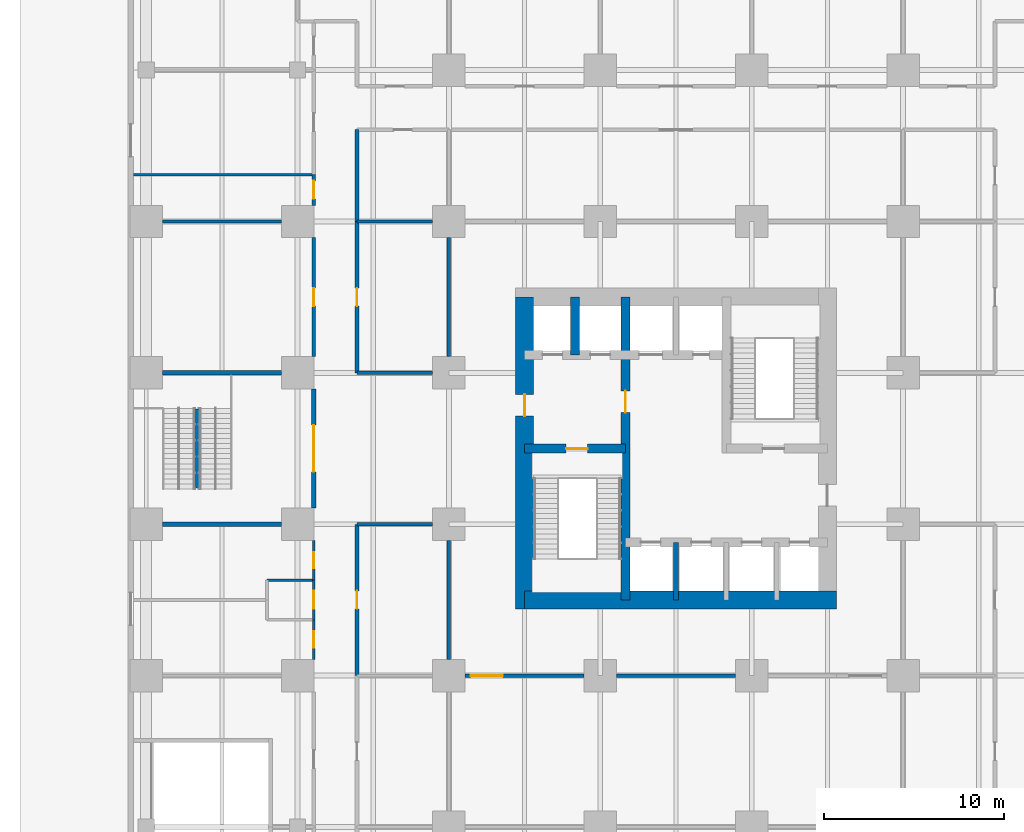
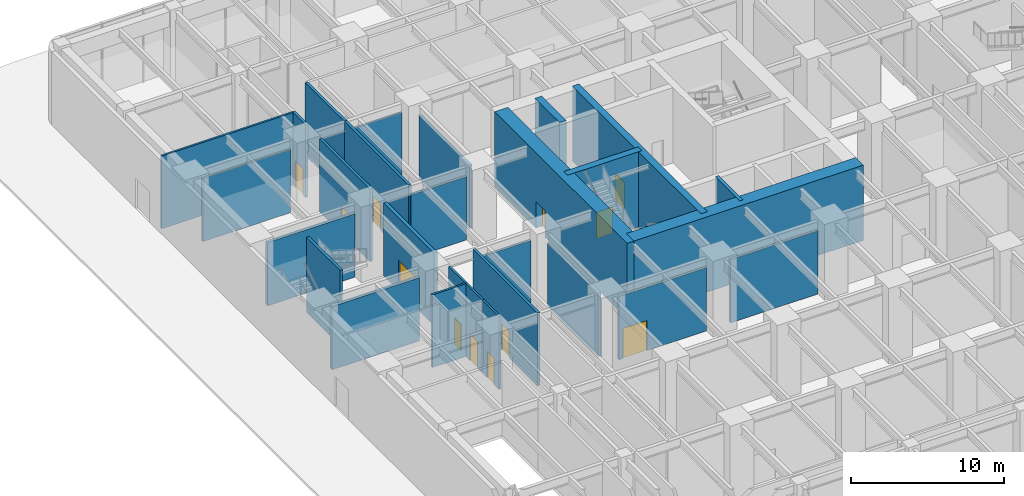
# One storey, part 13 of 21: 28 walls, 12 doors, 12 openings.
"""IFC4 building model written with IfcOpenShell, lengths in metres."""

from ifc_helpers import new_model, si_unit, direction, frame, frame_2d, origin, place, context, subcontext, project, spatial, rectangle, extrude, material, layer, layer_set, type_object, element, fill, save


model = new_model("IFC4")

# Units and contexts
model_context = context("Model", 3, precision=1e-05, world=origin(), true_north=direction((0.0, 1.0)))
body_context = subcontext(model_context, "Body", "Model", "MODEL_VIEW")
ifc_project = project(units=[si_unit("LENGTHUNIT", "METRE"), si_unit("AREAUNIT", "SQUARE_METRE"), si_unit("VOLUMEUNIT", "CUBIC_METRE"), si_unit("PLANEANGLEUNIT", "RADIAN"), si_unit("MASSUNIT", "GRAM", prefix="KILO")], contexts=[model_context])

# Site, building, storey
site_placement = place(None, origin())
site = spatial("IfcSite", under=ifc_project, at=site_placement, CompositionType="ELEMENT")
building_placement = place(site_placement, origin())
building = spatial("IfcBuilding", under=site, at=building_placement, Name="Torre Alcanfor", CompositionType="ELEMENT")
storey_placement = place(building_placement, origin())
storey = spatial("IfcBuildingStorey", under=building, at=storey_placement, Name="L00", CompositionType="ELEMENT", Elevation=0.0)

# Walls
ifc_material_1 = material(Name="Concrete block masonry, hollow blocks NMX-C-404 9 MPa", Category="masonry")
ifc_layer_1 = layer(ifc_material_1, 0.14990234375)
ifc_layer_set_1 = layer_set([ifc_layer_1], Name="Classroom partition 150")
wall_type_1 = type_object("IfcWallType", Name="Classroom partition 150", PredefinedType="PARTITIONING", material=ifc_layer_set_1)
wall_1_placement = place(storey_placement, frame((0.89990234375, 42.0, 0.0), z_axis=(0.0, 0.0, 1.0), x_axis=(1.0, 0.0, 0.0)))
element("IfcWall", 1, at=wall_1_placement, inside=storey, type_object=wall_type_1, Name="Partition L00-15 / L00-17", PredefinedType="PARTITIONING", context=body_context, shape_type="SweptSolid", body=[
    extrude(rectangle(XDim=6.60009765625, YDim=0.14990234375, at=frame_2d((3.300048828125, 0.0))), origin(), (0.0, 0.0, 1.0), 5.043212890625),
])
wall_2_placement = place(storey_placement, frame((-0.699951171875, 44.60009765625, 0.0), z_axis=(0.0, 0.0, 1.0), x_axis=(1.0, 0.0, 0.0)))
element("IfcWall", 2, at=wall_2_placement, inside=storey, type_object=wall_type_1, Name="Partition L00-17 / L00-19", PredefinedType="PARTITIONING", context=body_context, shape_type="SweptSolid", body=[
    extrude(rectangle(XDim=10.0, YDim=0.14990234375, at=frame_2d((5.0, 0.0))), origin(), (0.0, 0.0, 1.0), 5.800048828125),
])
wall_3_placement = place(storey_placement, frame((11.699951171875, 42.0, 0.0), z_axis=(0.0, 0.0, 1.0), x_axis=(1.0, 0.0, 0.0)))
element("IfcWall", 3, at=wall_3_placement, inside=storey, type_object=wall_type_1, Name="Partition L00-I09 / L00-I11", PredefinedType="PARTITIONING", context=body_context, shape_type="SweptSolid", body=[
    extrude(rectangle(XDim=4.199951171875, YDim=0.14990234375, at=frame_2d((2.10009765625, 0.0))), origin(), (0.0, 0.0, 1.0), 5.043212890625),
])

# Wall, opening, door
ifc_material_2 = material(Name="Concrete f'c 70 MPa", Category="concrete")
ifc_layer_2 = layer(ifc_material_2, 0.5)
ifc_layer_set_2 = layer_set([ifc_layer_2], Name="Core inner wall 500 f'c70")
wall_type_2 = type_object("IfcWallType", Name="Core inner wall 500 f'c70", PredefinedType="SHEAR", material=ifc_layer_set_2)
wall_4_placement = place(storey_placement, frame((26.60009765625, 21.0, 0.0), z_axis=(0.0, 0.0, 1.0), x_axis=(0.0, 1.0, 0.0)))
wall_4 = element("IfcWall", 4, at=wall_4_placement, inside=storey, type_object=wall_type_2, Name="Core wall X266 L00", PredefinedType="SHEAR", context=body_context, shape_type="SweptSolid", body=[
    extrude(rectangle(XDim=16.800048828125, YDim=0.5, at=frame_2d((8.39990234375, 0.0))), origin(), (0.0, 0.0, 1.0), 6.0),
])
opening_1_placement = place(wall_4_placement, frame((10.39990234375, 0.0, 0.0)))
opening_1 = element("IfcOpeningElement", 5, at=opening_1_placement, cuts=wall_4, Name="Opening D-L1", PredefinedType="OPENING", context=body_context, shape_type="SweptSolid", body=[
    extrude(rectangle(XDim=1.199951171875, YDim=2.10009765625, at=frame_2d((0.60009765625, 1.050048828125))), frame((0.0, 0.260009765625, 0.0), z_axis=(0.0, -1.0, 0.0), x_axis=(1.0, 0.0, 0.0)), (0.0, 0.0, 1.0), 0.52001953125),
])
ifc_material_3 = material(Name="Galvanised steel sheet ASTM A653", Category="steel")
door_type_1 = type_object("IfcDoorType", Name="Lobby door FD120 1200x2100", OperationType="SINGLE_SWING_LEFT", PredefinedType="DOOR", material=ifc_material_3)
door_1_placement = place(opening_1_placement, frame((1.199951171875, 0.0, 0.0), z_axis=(0.0, 0.0, 1.0), x_axis=(-1.0, 0.0, 0.0)))
door_1 = element("IfcDoor", 6, at=door_1_placement, inside=storey, type_object=door_type_1, Name="Lift lobby door L00", OperationType="SINGLE_SWING_LEFT", OverallHeight=2.10009765625, OverallWidth=1.199951171875, PredefinedType="DOOR", context=body_context, shape_type="SweptSolid", body=[
    extrude(rectangle(XDim=1.199951171875, YDim=2.10009765625, at=frame_2d((0.599853515625, 1.050048828125))), frame((0.0, 0.025146484375, 0.0), z_axis=(0.0, -1.0, 0.0), x_axis=(1.0, 0.0, 0.0)), (0.0, 0.0, 1.0), 0.050048828125),
])
fill(opening_1, door_1)

wall_5_placement = place(storey_placement, frame((21.0, 29.39990234375, 0.0), z_axis=(0.0, 0.0, 1.0), x_axis=(1.0, 0.0, 0.0)))
wall_5 = element("IfcWall", 7, at=wall_5_placement, inside=storey, type_object=wall_type_2, Name="Core wall Y294W L00", PredefinedType="SHEAR", context=body_context, shape_type="SweptSolid", body=[
    extrude(rectangle(XDim=5.60009765625, YDim=0.5, at=frame_2d((2.800048828125, 0.0))), origin(), (0.0, 0.0, 1.0), 6.0),
])
opening_2_placement = place(wall_5_placement, frame((2.300048828125, 0.0, 0.0)))
opening_2 = element("IfcOpeningElement", 8, at=opening_2_placement, cuts=wall_5, Name="Opening D-S2", PredefinedType="OPENING", context=body_context, shape_type="SweptSolid", body=[
    extrude(rectangle(XDim=1.199951171875, YDim=2.10009765625, at=frame_2d((0.60009765625, 1.050048828125))), frame((0.0, 0.260009765625, 0.0), z_axis=(0.0, -1.0, 0.0), x_axis=(1.0, 0.0, 0.0)), (0.0, 0.0, 1.0), 0.52001953125),
])
ifc_material_4 = material(Name="Galvanised steel sheet ASTM A653", Category="steel")
door_type_2 = type_object("IfcDoorType", Name="Stair enclosure door FD120 1200x2100", OperationType="SINGLE_SWING_LEFT", PredefinedType="DOOR", material=ifc_material_4)
door_2_placement = place(opening_2_placement, origin())
door_2 = element("IfcDoor", 9, at=door_2_placement, inside=storey, type_object=door_type_2, Name="Stair S1 door L00", OperationType="SINGLE_SWING_RIGHT", OverallHeight=2.10009765625, OverallWidth=1.199951171875, PredefinedType="DOOR", context=body_context, shape_type="SweptSolid", body=[
    extrude(rectangle(XDim=1.199951171875, YDim=2.10009765625, at=frame_2d((0.60009765625, 1.050048828125))), frame((0.0, 0.02490234375, 0.0), z_axis=(0.0, -1.0, 0.0), x_axis=(1.0, 0.0, 0.0)), (0.0, 0.0, 1.0), 0.050048828125),
])
fill(opening_2, door_2)

# Walls
wall_6_placement = place(storey_placement, frame((23.800048828125, 34.60009765625, 0.0), z_axis=(0.0, 0.0, 1.0), x_axis=(0.0, 1.0, 0.0)))
element("IfcWall", 10, at=wall_6_placement, inside=storey, type_object=wall_type_2, Name="Core wall X238 L00", PredefinedType="SHEAR", context=body_context, shape_type="SweptSolid", body=[
    extrude(rectangle(XDim=3.199951171875, YDim=0.5, at=frame_2d((1.60009765625, 0.0))), origin(), (0.0, 0.0, 1.0), 6.0),
])
ifc_material_5 = material(Name="Concrete f'c 70 MPa", Category="concrete")
ifc_layer_3 = layer(ifc_material_5, 0.25)
ifc_layer_set_3 = layer_set([ifc_layer_3], Name="Core shaft wall 250 f'c70")
wall_type_3 = type_object("IfcWallType", Name="Core shaft wall 250 f'c70", PredefinedType="SHEAR", material=ifc_layer_set_3)
wall_7_placement = place(storey_placement, frame((29.39990234375, 21.0, 0.0), z_axis=(0.0, 0.0, 1.0), x_axis=(0.0, 1.0, 0.0)))
element("IfcWall", 11, at=wall_7_placement, inside=storey, type_object=wall_type_3, Name="Core wall X294S L00", PredefinedType="SHEAR", context=body_context, shape_type="SweptSolid", body=[
    extrude(rectangle(XDim=3.199951171875, YDim=0.25, at=frame_2d((1.60009765625, 0.0))), origin(), (0.0, 0.0, 1.0), 6.0),
])
ifc_material_6 = material(Name="Concrete f'c 70 MPa", Category="concrete")
ifc_layer_4 = layer(ifc_material_6, 1.0)
ifc_layer_set_4 = layer_set([ifc_layer_4], Name="Core wall 1000 f'c70")
wall_type_4 = type_object("IfcWallType", Name="Core wall 1000 f'c70", PredefinedType="SHEAR", material=ifc_layer_set_4)
wall_8_placement = place(storey_placement, frame((21.0, 21.0, 0.0), z_axis=(0.0, 0.0, 1.0), x_axis=(1.0, 0.0, 0.0)))
element("IfcWall", 12, at=wall_8_placement, inside=storey, type_object=wall_type_4, Name="Core wall OUT-S L00", PredefinedType="SHEAR", context=body_context, shape_type="SweptSolid", body=[
    extrude(rectangle(XDim=17.300048828125, YDim=1.0, at=frame_2d((8.64990234375, 0.0))), origin(), (0.0, 0.0, 1.0), 6.0),
])

# Wall, opening, door
wall_9_placement = place(storey_placement, frame((21.0, 37.800048828125, 0.0), z_axis=(0.0, 0.0, 1.0), x_axis=(0.0, -1.0, 0.0)))
wall_9 = element("IfcWall", 13, at=wall_9_placement, inside=storey, type_object=wall_type_4, Name="Core wall OUT-W L00", PredefinedType="SHEAR", context=body_context, shape_type="SweptSolid", body=[
    extrude(rectangle(XDim=17.300048828125, YDim=1.0, at=frame_2d((8.64990234375, 0.0))), origin(), (0.0, 0.0, 1.0), 6.0),
])
opening_3_placement = place(wall_9_placement, frame((5.39990234375, 0.0, 0.0)))
opening_3 = element("IfcOpeningElement", 14, at=opening_3_placement, cuts=wall_9, Name="Opening D-L1", PredefinedType="OPENING", context=body_context, shape_type="SweptSolid", body=[
    extrude(rectangle(XDim=1.199951171875, YDim=2.10009765625, at=frame_2d((0.60009765625, 1.050048828125))), frame((0.0, 0.510009765625, 0.0), z_axis=(0.0, -1.0, 0.0), x_axis=(1.0, 0.0, 0.0)), (0.0, 0.0, 1.0), 1.02001953125),
])
door_3_placement = place(opening_3_placement, frame((1.199951171875, 0.0, 0.0), z_axis=(0.0, 0.0, 1.0), x_axis=(-1.0, 0.0, 0.0)))
door_3 = element("IfcDoor", 15, at=door_3_placement, inside=storey, type_object=door_type_1, Name="Firefighting lobby door L00", OperationType="SINGLE_SWING_RIGHT", OverallHeight=2.10009765625, OverallWidth=1.199951171875, PredefinedType="DOOR", context=body_context, shape_type="SweptSolid", body=[
    extrude(rectangle(XDim=1.199951171875, YDim=2.10009765625, at=frame_2d((0.599853515625, 1.050048828125))), frame((0.0, 0.025146484375, 0.0), z_axis=(0.0, -1.0, 0.0), x_axis=(1.0, 0.0, 0.0)), (0.0, 0.0, 1.0), 0.050048828125),
])
fill(opening_3, door_3)

ifc_material_7 = material(Name="Concrete block masonry, hollow blocks NMX-C-404 9 MPa", Category="masonry")
ifc_layer_5 = layer(ifc_material_7, 0.199951171875)
ifc_layer_set_5 = layer_set([ifc_layer_5], Name="School corridor wall 200")
wall_type_5 = type_object("IfcWallType", Name="School corridor wall 200", PredefinedType="PARTITIONING", material=ifc_layer_set_5)
wall_10_placement = place(storey_placement, frame((9.300048828125, 41.10009765625, 0.0), z_axis=(0.0, 0.0, 1.0), x_axis=(0.0, -1.0, 0.0)))
wall_10 = element("IfcWall", 16, at=wall_10_placement, inside=storey, type_object=wall_type_5, Name="Partition L00-15 / L00-CORR", PredefinedType="PARTITIONING", context=body_context, shape_type="SweptSolid", body=[
    extrude(rectangle(XDim=6.60009765625, YDim=0.199951171875, at=frame_2d((3.300048828125, 0.0))), origin(), (0.0, 0.0, 1.0), 5.800048828125),
])
opening_4_placement = place(wall_10_placement, frame((2.800048828125, 0.0, 0.0)))
opening_4 = element("IfcOpeningElement", 17, at=opening_4_placement, cuts=wall_10, Name="Opening D-C1", PredefinedType="OPENING", context=body_context, shape_type="SweptSolid", body=[
    extrude(rectangle(XDim=1.0, YDim=2.10009765625, at=frame_2d((0.5, 1.050048828125))), frame((0.0, 0.10986328125, 0.0), z_axis=(0.0, -1.0, 0.0), x_axis=(1.0, 0.0, 0.0)), (0.0, 0.0, 1.0), 0.219970703125),
])
ifc_material_8 = material(Name="Timber", Category="wood")
door_type_3 = type_object("IfcDoorType", Name="Classroom door 1000x2100", OperationType="SINGLE_SWING_RIGHT", PredefinedType="DOOR", material=ifc_material_8)
door_4_placement = place(opening_4_placement, frame((1.0, 0.0, 0.0), z_axis=(0.0, 0.0, 1.0), x_axis=(-1.0, 0.0, 0.0)))
door_4 = element("IfcDoor", 18, at=door_4_placement, inside=storey, type_object=door_type_3, Name="Door L00-15 parents' interview room", OperationType="SINGLE_SWING_RIGHT", OverallHeight=2.10009765625, OverallWidth=1.0, PredefinedType="DOOR", context=body_context, shape_type="SweptSolid", body=[
    extrude(rectangle(XDim=1.0, YDim=2.10009765625, at=frame_2d((0.5, 1.050048828125))), frame((0.0, 0.025146484375, 0.0), z_axis=(0.0, -1.0, 0.0), x_axis=(1.0, 0.0, 0.0)), (0.0, 0.0, 1.0), 0.050048828125),
])
fill(opening_4, door_4)

wall_11_placement = place(storey_placement, frame((9.300048828125, 44.60009765625, 0.0), z_axis=(0.0, 0.0, 1.0), x_axis=(0.0, -1.0, 0.0)))
wall_11 = element("IfcWall", 19, at=wall_11_placement, inside=storey, type_object=wall_type_5, Name="Partition L00-17 / L00-CORR", PredefinedType="PARTITIONING", context=body_context, shape_type="SweptSolid", body=[
    extrude(rectangle(XDim=1.7001953125, YDim=0.199951171875, at=frame_2d((0.85009765625, 0.0))), origin(), (0.0, 0.0, 1.0), 5.800048828125),
])
opening_5_placement = place(wall_11_placement, frame((0.35009765625, 0.0, 0.0)))
opening_5 = element("IfcOpeningElement", 20, at=opening_5_placement, cuts=wall_11, Name="Opening D-C1", PredefinedType="OPENING", context=body_context, shape_type="SweptSolid", body=[
    extrude(rectangle(XDim=1.0, YDim=2.10009765625, at=frame_2d((0.5, 1.050048828125))), frame((0.0, 0.10986328125, 0.0), z_axis=(0.0, -1.0, 0.0), x_axis=(1.0, 0.0, 0.0)), (0.0, 0.0, 1.0), 0.219970703125),
])
door_5_placement = place(opening_5_placement, frame((1.0, 0.0, 0.0), z_axis=(0.0, 0.0, 1.0), x_axis=(-1.0, 0.0, 0.0)))
door_5 = element("IfcDoor", 21, at=door_5_placement, inside=storey, type_object=door_type_3, Name="Door L00-17 furniture store", OperationType="SINGLE_SWING_RIGHT", OverallHeight=2.10009765625, OverallWidth=1.0, PredefinedType="DOOR", context=body_context, shape_type="SweptSolid", body=[
    extrude(rectangle(XDim=1.0, YDim=2.10009765625, at=frame_2d((0.5, 1.050048828125))), frame((0.0, 0.025146484375, 0.0), z_axis=(0.0, -1.0, 0.0), x_axis=(1.0, 0.0, 0.0)), (0.0, 0.0, 1.0), 0.050048828125),
])
fill(opening_5, door_5)

wall_12_placement = place(storey_placement, frame((11.699951171875, 25.199951171875, 0.0), z_axis=(0.0, 0.0, 1.0), x_axis=(0.0, -1.0, 0.0)))
wall_12 = element("IfcWall", 22, at=wall_12_placement, inside=storey, type_object=wall_type_5, Name="Partition L00-CORR / L00-I07", PredefinedType="PARTITIONING", context=body_context, shape_type="SweptSolid", body=[
    extrude(rectangle(XDim=8.39990234375, YDim=0.199951171875, at=frame_2d((4.199951171875, 0.0))), origin(), (0.0, 0.0, 1.0), 5.800048828125),
])
opening_6_placement = place(wall_12_placement, frame((3.699951171875, 0.0, 0.0)))
opening_6 = element("IfcOpeningElement", 23, at=opening_6_placement, cuts=wall_12, Name="Opening D-C1", PredefinedType="OPENING", context=body_context, shape_type="SweptSolid", body=[
    extrude(rectangle(XDim=1.0, YDim=2.10009765625, at=frame_2d((0.5, 1.050048828125))), frame((0.0, 0.10986328125, 0.0), z_axis=(0.0, -1.0, 0.0), x_axis=(1.0, 0.0, 0.0)), (0.0, 0.0, 1.0), 0.219970703125),
])
door_6_placement = place(opening_6_placement, origin())
door_6 = element("IfcDoor", 24, at=door_6_placement, inside=storey, type_object=door_type_3, Name="Door L00-I07 display store", OperationType="SINGLE_SWING_LEFT", OverallHeight=2.10009765625, OverallWidth=1.0, PredefinedType="DOOR", context=body_context, shape_type="SweptSolid", body=[
    extrude(rectangle(XDim=1.0, YDim=2.10009765625, at=frame_2d((0.5, 1.050048828125))), frame((0.0, 0.02490234375, 0.0), z_axis=(0.0, -1.0, 0.0), x_axis=(1.0, 0.0, 0.0)), (0.0, 0.0, 1.0), 0.050048828125),
])
fill(opening_6, door_6)

wall_13_placement = place(storey_placement, frame((11.699951171875, 42.0, 0.0), z_axis=(0.0, 0.0, 1.0), x_axis=(0.0, -1.0, 0.0)))
wall_13 = element("IfcWall", 25, at=wall_13_placement, inside=storey, type_object=wall_type_5, Name="Partition L00-CORR / L00-I09", PredefinedType="PARTITIONING", context=body_context, shape_type="SweptSolid", body=[
    extrude(rectangle(XDim=8.39990234375, YDim=0.199951171875, at=frame_2d((4.199951171875, 0.0))), origin(), (0.0, 0.0, 1.0), 5.800048828125),
])
opening_7_placement = place(wall_13_placement, frame((3.699951171875, 0.0, 0.0)))
opening_7 = element("IfcOpeningElement", 26, at=opening_7_placement, cuts=wall_13, Name="Opening D-C1", PredefinedType="OPENING", context=body_context, shape_type="SweptSolid", body=[
    extrude(rectangle(XDim=1.0, YDim=2.10009765625, at=frame_2d((0.5, 1.050048828125))), frame((0.0, 0.10986328125, 0.0), z_axis=(0.0, -1.0, 0.0), x_axis=(1.0, 0.0, 0.0)), (0.0, 0.0, 1.0), 0.219970703125),
])
door_7_placement = place(opening_7_placement, origin())
door_7 = element("IfcDoor", 27, at=door_7_placement, inside=storey, type_object=door_type_3, Name="Door L00-I09 uniform store", OperationType="SINGLE_SWING_LEFT", OverallHeight=2.10009765625, OverallWidth=1.0, PredefinedType="DOOR", context=body_context, shape_type="SweptSolid", body=[
    extrude(rectangle(XDim=1.0, YDim=2.10009765625, at=frame_2d((0.5, 1.050048828125))), frame((0.0, 0.02490234375, 0.0), z_axis=(0.0, -1.0, 0.0), x_axis=(1.0, 0.0, 0.0)), (0.0, 0.0, 1.0), 0.050048828125),
])
fill(opening_7, door_7)

# Wall
wall_14_placement = place(storey_placement, frame((11.699951171875, 47.10009765625, 0.0), z_axis=(0.0, 0.0, 1.0), x_axis=(0.0, -1.0, 0.0)))
element("IfcWall", 28, at=wall_14_placement, inside=storey, type_object=wall_type_5, Name="Partition L00-CORR / L00-I11", PredefinedType="PARTITIONING", context=body_context, shape_type="SweptSolid", body=[
    extrude(rectangle(XDim=5.10009765625, YDim=0.199951171875, at=frame_2d((2.550048828125, 0.0))), origin(), (0.0, 0.0, 1.0), 5.800048828125),
])

# Wall, opening, door
wall_15_placement = place(storey_placement, frame((24.300048828125, 16.800048828125, 0.0), z_axis=(0.0, 0.0, 1.0), x_axis=(-1.0, 0.0, 0.0)))
wall_15 = element("IfcWall", 29, at=wall_15_placement, inside=storey, type_object=wall_type_5, Name="Partition L00-LLW / L00-I05", PredefinedType="PARTITIONING", context=body_context, shape_type="SweptSolid", body=[
    extrude(rectangle(XDim=6.60009765625, YDim=0.199951171875, at=frame_2d((3.300048828125, 0.0))), origin(), (0.0, 0.0, 1.0), 5.043212890625),
])
opening_8_placement = place(wall_15_placement, frame((4.5, 0.0, 0.0)))
opening_8 = element("IfcOpeningElement", 30, at=opening_8_placement, cuts=wall_15, Name="Opening D-C2", PredefinedType="OPENING", context=body_context, shape_type="SweptSolid", body=[
    extrude(rectangle(XDim=1.800048828125, YDim=2.39990234375, at=frame_2d((0.89990234375, 1.199951171875))), frame((0.0, 0.10986328125, 0.0), z_axis=(0.0, -1.0, 0.0), x_axis=(1.0, 0.0, 0.0)), (0.0, 0.0, 1.0), 0.219970703125),
])
ifc_material_9 = material(Name="Timber", Category="wood")
door_type_4 = type_object("IfcDoorType", Name="Double door 1800x2400", OperationType="DOUBLE_DOOR_SINGLE_SWING", PredefinedType="DOOR", material=ifc_material_9)
door_8_placement = place(opening_8_placement, frame((1.800048828125, 0.0, 0.0), z_axis=(0.0, 0.0, 1.0), x_axis=(-1.0, 0.0, 0.0)))
door_8 = element("IfcDoor", 31, at=door_8_placement, inside=storey, type_object=door_type_4, Name="Door L00-I05 dining hall", OperationType="DOUBLE_DOOR_SINGLE_SWING", OverallHeight=2.39990234375, OverallWidth=1.800048828125, PredefinedType="DOOR", context=body_context, shape_type="SweptSolid", body=[
    extrude(rectangle(XDim=1.800048828125, YDim=2.39990234375, at=frame_2d((0.900146484375, 1.199951171875))), frame((0.0, 0.025146484375, 0.0), z_axis=(0.0, -1.0, 0.0), x_axis=(1.0, 0.0, 0.0)), (0.0, 0.0, 1.0), 0.050048828125),
])
fill(opening_8, door_8)

# Walls
wall_16_placement = place(storey_placement, frame((32.699951171875, 16.800048828125, 0.0), z_axis=(0.0, 0.0, 1.0), x_axis=(-1.0, 0.0, 0.0)))
element("IfcWall", 32, at=wall_16_placement, inside=storey, type_object=wall_type_5, Name="Partition L00-LLW / L00-I05", PredefinedType="PARTITIONING", context=body_context, shape_type="SweptSolid", body=[
    extrude(rectangle(XDim=6.599853515625, YDim=0.199951171875, at=frame_2d((3.2998046875, 0.0))), origin(), (0.0, 0.0, 1.0), 5.043212890625),
])
wall_17_placement = place(storey_placement, frame((15.89990234375, 25.199951171875, 0.0), z_axis=(0.0, 0.0, 1.0), x_axis=(-1.0, 0.0, 0.0)))
element("IfcWall", 33, at=wall_17_placement, inside=storey, type_object=wall_type_5, Name="Partition L00-LLW / L00-I07", PredefinedType="PARTITIONING", context=body_context, shape_type="SweptSolid", body=[
    extrude(rectangle(XDim=4.199951171875, YDim=0.199951171875, at=frame_2d((2.10009765625, 0.0))), origin(), (0.0, 0.0, 1.0), 5.043212890625),
])
wall_18_placement = place(storey_placement, frame((16.800048828125, 17.699951171875, 0.0), z_axis=(0.0, 0.0, 1.0), x_axis=(0.0, 1.0, 0.0)))
element("IfcWall", 34, at=wall_18_placement, inside=storey, type_object=wall_type_5, Name="Partition L00-LLW / L00-I07", PredefinedType="PARTITIONING", context=body_context, shape_type="SweptSolid", body=[
    extrude(rectangle(XDim=6.60009765625, YDim=0.199951171875, at=frame_2d((3.300048828125, 0.0))), origin(), (0.0, 0.0, 1.0), 5.043212890625),
])
wall_19_placement = place(storey_placement, frame((11.699951171875, 33.60009765625, 0.0), z_axis=(0.0, 0.0, 1.0), x_axis=(1.0, 0.0, 0.0)))
element("IfcWall", 35, at=wall_19_placement, inside=storey, type_object=wall_type_5, Name="Partition L00-LLW / L00-I09", PredefinedType="PARTITIONING", context=body_context, shape_type="SweptSolid", body=[
    extrude(rectangle(XDim=4.199951171875, YDim=0.199951171875, at=frame_2d((2.10009765625, 0.0))), origin(), (0.0, 0.0, 1.0), 5.043212890625),
])
wall_20_placement = place(storey_placement, frame((16.800048828125, 34.5, 0.0), z_axis=(0.0, 0.0, 1.0), x_axis=(0.0, 1.0, 0.0)))
element("IfcWall", 36, at=wall_20_placement, inside=storey, type_object=wall_type_5, Name="Partition L00-LLW / L00-I09", PredefinedType="PARTITIONING", context=body_context, shape_type="SweptSolid", body=[
    extrude(rectangle(XDim=6.60009765625, YDim=0.199951171875, at=frame_2d((3.300048828125, 0.0))), origin(), (0.0, 0.0, 1.0), 5.043212890625),
])
ifc_material_10 = material(Name="Reinforced concrete block masonry, hollow blocks NMX-C-404 9 MPa", Category="masonry")
ifc_layer_6 = layer(ifc_material_10, 0.25)
ifc_layer_set_6 = layer_set([ifc_layer_6], Name="Stair enclosure wall 250 EI 120")
wall_type_6 = type_object("IfcWallType", Name="Stair enclosure wall 250 EI 120", PredefinedType="SOLIDWALL", material=ifc_layer_set_6)
for number, where, z_axis, x_axis, name in (
    (37, (0.89990234375, 25.199951171875, 0.0), (0.0, 0.0, 1.0), (1.0, 0.0, 0.0), "Partition L00-WCW3 / L00-SS1"),
    (38, (0.89990234375, 33.60009765625, 0.0), (0.0, 0.0, 1.0), (1.0, 0.0, 0.0), "Partition L00-SS1 / L00-15"),
):
    element("IfcWall", number, at=place(storey_placement, frame(where, z_axis=z_axis, x_axis=x_axis)), inside=storey, type_object=wall_type_6, Name=name, PredefinedType="SOLIDWALL", context=body_context, shape_type="SweptSolid", body=[
        extrude(rectangle(XDim=6.60009765625, YDim=0.25, at=frame_2d((3.300048828125, 0.0))), origin(), (0.0, 0.0, 1.0), 5.043212890625),
    ])

# Wall, opening, door
wall_21_placement = place(storey_placement, frame((9.300048828125, 32.699951171875, 0.0), z_axis=(0.0, 0.0, 1.0), x_axis=(0.0, -1.0, 0.0)))
wall_21 = element("IfcWall", 39, at=wall_21_placement, inside=storey, type_object=wall_type_6, Name="Partition L00-SS1 / L00-CORR", PredefinedType="SOLIDWALL", context=body_context, shape_type="SweptSolid", body=[
    extrude(rectangle(XDim=6.599853515625, YDim=0.25, at=frame_2d((3.2998046875, 0.0))), origin(), (0.0, 0.0, 1.0), 5.800048828125),
])
opening_9_placement = place(wall_21_placement, frame((2.0, 0.0, 0.0)))
opening_9 = element("IfcOpeningElement", 40, at=opening_9_placement, cuts=wall_21, Name="Opening D-S4", PredefinedType="OPENING", context=body_context, shape_type="SweptSolid", body=[
    extrude(rectangle(XDim=2.60009765625, YDim=2.39990234375, at=frame_2d((1.300048828125, 1.199951171875))), frame((0.0, 0.135009765625, 0.0), z_axis=(0.0, -1.0, 0.0), x_axis=(1.0, 0.0, 0.0)), (0.0, 0.0, 1.0), 0.27001953125),
])
ifc_material_11 = material(Name="Galvanised steel sheet ASTM A653", Category="steel")
door_type_5 = type_object("IfcDoorType", Name="School stair double door FD120 2600x2400", OperationType="DOUBLE_DOOR_SINGLE_SWING", PredefinedType="DOOR", material=ifc_material_11)
door_9_placement = place(opening_9_placement, origin())
door_9 = element("IfcDoor", 41, at=door_9_placement, inside=storey, type_object=door_type_5, Name="Door L00-SS1 school stair ss1", OperationType="DOUBLE_DOOR_SINGLE_SWING", OverallHeight=2.39990234375, OverallWidth=2.60009765625, PredefinedType="DOOR", context=body_context, shape_type="SweptSolid", body=[
    extrude(rectangle(XDim=2.60009765625, YDim=2.39990234375, at=frame_2d((1.300048828125, 1.199951171875))), frame((0.0, 0.02490234375, 0.0), z_axis=(0.0, -1.0, 0.0), x_axis=(1.0, 0.0, 0.0)), (0.0, 0.0, 1.0), 0.050048828125),
])
fill(opening_9, door_9)

# Wall
ifc_material_12 = material(Name="Concrete f'c 35 MPa", Category="concrete")
ifc_layer_7 = layer(ifc_material_12, 0.199951171875)
ifc_layer_set_7 = layer_set([ifc_layer_7], Name="Stair spine wall 200")
wall_type_7 = type_object("IfcWallType", Name="Stair spine wall 200", PredefinedType="SOLIDWALL", material=ifc_layer_set_7)
wall_22_placement = place(storey_placement, frame((2.830078125, 27.205078125, 0.0), z_axis=(0.0, 0.0, 1.0), x_axis=(0.0, 1.0, 0.0)))
element("IfcWall", 42, at=wall_22_placement, inside=storey, type_object=wall_type_7, Name="Stair spine wall SS1 L00", PredefinedType="SOLIDWALL", context=body_context, shape_type="SweptSolid", body=[
    extrude(rectangle(XDim=4.3798828125, YDim=0.199951171875, at=frame_2d((2.18994140625, 0.0))), origin(), (0.0, 0.0, 1.0), 6.0),
])

# Wall, opening, door
ifc_material_13 = material(Name="Cement board on steel studs", Category="steel")
ifc_layer_8 = layer(ifc_material_13, 0.14990234375)
ifc_layer_set_8 = layer_set([ifc_layer_8], Name="Wet area partition 150")
wall_type_8 = type_object("IfcWallType", Name="Wet area partition 150", PredefinedType="PARTITIONING", material=ifc_layer_set_8)
wall_23_placement = place(storey_placement, frame((9.300048828125, 19.89990234375, 0.0), z_axis=(0.0, 0.0, 1.0), x_axis=(0.0, -1.0, 0.0)))
wall_23 = element("IfcWall", 43, at=wall_23_placement, inside=storey, type_object=wall_type_8, Name="Partition L00-WCW1 / L00-CORR", PredefinedType="PARTITIONING", context=body_context, shape_type="SweptSolid", body=[
    extrude(rectangle(XDim=2.199951171875, YDim=0.14990234375, at=frame_2d((1.10009765625, 0.0))), origin(), (0.0, 0.0, 1.0), 5.800048828125),
])
opening_10_placement = place(wall_23_placement, frame((0.64990234375, 0.0, 0.0)))
opening_10 = element("IfcOpeningElement", 44, at=opening_10_placement, cuts=wall_23, Name="Opening D-W1", PredefinedType="OPENING", context=body_context, shape_type="SweptSolid", body=[
    extrude(rectangle(XDim=0.89990234375, YDim=2.10009765625, at=frame_2d((0.449951171875, 1.050048828125))), frame((0.0, 0.0849609375, 0.0), z_axis=(0.0, -1.0, 0.0), x_axis=(1.0, 0.0, 0.0)), (0.0, 0.0, 1.0), 0.169921875),
])
ifc_material_14 = material(Name="Timber", Category="wood")
door_type_6 = type_object("IfcDoorType", Name="Toilet door 900x2100", OperationType="SINGLE_SWING_LEFT", PredefinedType="DOOR", material=ifc_material_14)
door_10_placement = place(opening_10_placement, frame((0.89990234375, 0.0, 0.0), z_axis=(0.0, 0.0, 1.0), x_axis=(-1.0, 0.0, 0.0)))
door_10 = element("IfcDoor", 45, at=door_10_placement, inside=storey, type_object=door_type_6, Name="Door L00-WCW1 boys toilets", OperationType="SINGLE_SWING_RIGHT", OverallHeight=2.10009765625, OverallWidth=0.89990234375, PredefinedType="DOOR", context=body_context, shape_type="SweptSolid", body=[
    extrude(rectangle(XDim=0.89990234375, YDim=2.10009765625, at=frame_2d((0.449951171875, 1.050048828125))), frame((0.0, 0.025146484375, 0.0), z_axis=(0.0, -1.0, 0.0), x_axis=(1.0, 0.0, 0.0)), (0.0, 0.0, 1.0), 0.050048828125),
])
fill(opening_10, door_10)

# Wall
wall_24_placement = place(storey_placement, frame((6.699951171875, 22.10009765625, 0.0), z_axis=(0.0, 0.0, 1.0), x_axis=(1.0, 0.0, 0.0)))
element("IfcWall", 46, at=wall_24_placement, inside=storey, type_object=wall_type_8, Name="Partition L00-WCW2 / L00-WCW3", PredefinedType="PARTITIONING", context=body_context, shape_type="SweptSolid", body=[
    extrude(rectangle(XDim=2.60009765625, YDim=0.14990234375, at=frame_2d((1.300048828125, 0.0))), origin(), (0.0, 0.0, 1.0), 5.800048828125),
])

# Wall, opening, door
wall_25_placement = place(storey_placement, frame((9.300048828125, 22.10009765625, 0.0), z_axis=(0.0, 0.0, 1.0), x_axis=(0.0, -1.0, 0.0)))
wall_25 = element("IfcWall", 47, at=wall_25_placement, inside=storey, type_object=wall_type_8, Name="Partition L00-WCW2 / L00-CORR", PredefinedType="PARTITIONING", context=body_context, shape_type="SweptSolid", body=[
    extrude(rectangle(XDim=2.2001953125, YDim=0.14990234375, at=frame_2d((1.10009765625, 0.0))), origin(), (0.0, 0.0, 1.0), 5.800048828125),
])
opening_11_placement = place(wall_25_placement, frame((0.60009765625, 0.0, 0.0)))
opening_11 = element("IfcOpeningElement", 48, at=opening_11_placement, cuts=wall_25, Name="Opening D-W2", PredefinedType="OPENING", context=body_context, shape_type="SweptSolid", body=[
    extrude(rectangle(XDim=1.0, YDim=2.10009765625, at=frame_2d((0.5, 1.050048828125))), frame((0.0, 0.0849609375, 0.0), z_axis=(0.0, -1.0, 0.0), x_axis=(1.0, 0.0, 0.0)), (0.0, 0.0, 1.0), 0.169921875),
])
ifc_material_15 = material(Name="Timber", Category="wood")
door_type_7 = type_object("IfcDoorType", Name="Accessible WC door 1000x2100", OperationType="SINGLE_SWING_LEFT", PredefinedType="DOOR", material=ifc_material_15)
door_11_placement = place(opening_11_placement, origin())
door_11 = element("IfcDoor", 49, at=door_11_placement, inside=storey, type_object=door_type_7, Name="Door L00-WCW2 accessible wc", OperationType="SINGLE_SWING_LEFT", OverallHeight=2.10009765625, OverallWidth=1.0, PredefinedType="DOOR", context=body_context, shape_type="SweptSolid", body=[
    extrude(rectangle(XDim=1.0, YDim=2.10009765625, at=frame_2d((0.5, 1.050048828125))), frame((0.0, 0.02490234375, 0.0), z_axis=(0.0, -1.0, 0.0), x_axis=(1.0, 0.0, 0.0)), (0.0, 0.0, 1.0), 0.050048828125),
])
fill(opening_11, door_11)

wall_26_placement = place(storey_placement, frame((9.300048828125, 24.300048828125, 0.0), z_axis=(0.0, 0.0, 1.0), x_axis=(0.0, -1.0, 0.0)))
wall_26 = element("IfcWall", 50, at=wall_26_placement, inside=storey, type_object=wall_type_8, Name="Partition L00-WCW3 / L00-CORR", PredefinedType="PARTITIONING", context=body_context, shape_type="SweptSolid", body=[
    extrude(rectangle(XDim=2.199951171875, YDim=0.14990234375, at=frame_2d((1.10009765625, 0.0))), origin(), (0.0, 0.0, 1.0), 5.800048828125),
])
opening_12_placement = place(wall_26_placement, frame((0.64990234375, 0.0, 0.0)))
opening_12 = element("IfcOpeningElement", 51, at=opening_12_placement, cuts=wall_26, Name="Opening D-W1", PredefinedType="OPENING", context=body_context, shape_type="SweptSolid", body=[
    extrude(rectangle(XDim=0.89990234375, YDim=2.10009765625, at=frame_2d((0.449951171875, 1.050048828125))), frame((0.0, 0.0849609375, 0.0), z_axis=(0.0, -1.0, 0.0), x_axis=(1.0, 0.0, 0.0)), (0.0, 0.0, 1.0), 0.169921875),
])
door_12_placement = place(opening_12_placement, frame((0.89990234375, 0.0, 0.0), z_axis=(0.0, 0.0, 1.0), x_axis=(-1.0, 0.0, 0.0)))
door_12 = element("IfcDoor", 52, at=door_12_placement, inside=storey, type_object=door_type_6, Name="Door L00-WCW3 girls toilets", OperationType="SINGLE_SWING_RIGHT", OverallHeight=2.10009765625, OverallWidth=0.89990234375, PredefinedType="DOOR", context=body_context, shape_type="SweptSolid", body=[
    extrude(rectangle(XDim=0.89990234375, YDim=2.10009765625, at=frame_2d((0.449951171875, 1.050048828125))), frame((0.0, 0.025146484375, 0.0), z_axis=(0.0, -1.0, 0.0), x_axis=(1.0, 0.0, 0.0)), (0.0, 0.0, 1.0), 0.050048828125),
])
fill(opening_12, door_12)

save(model, "model.ifc")
